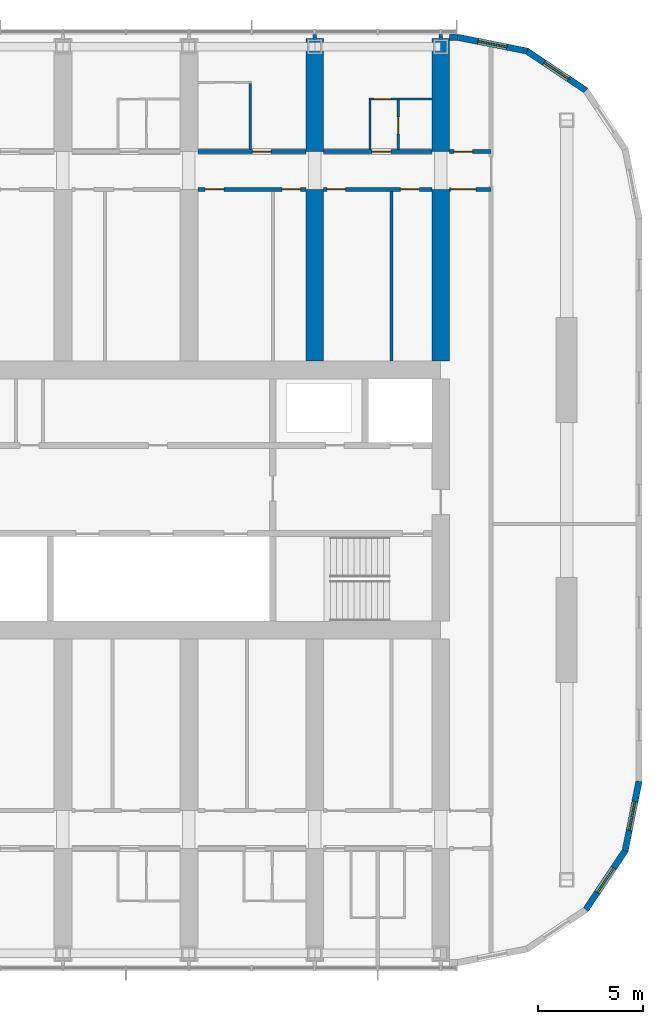
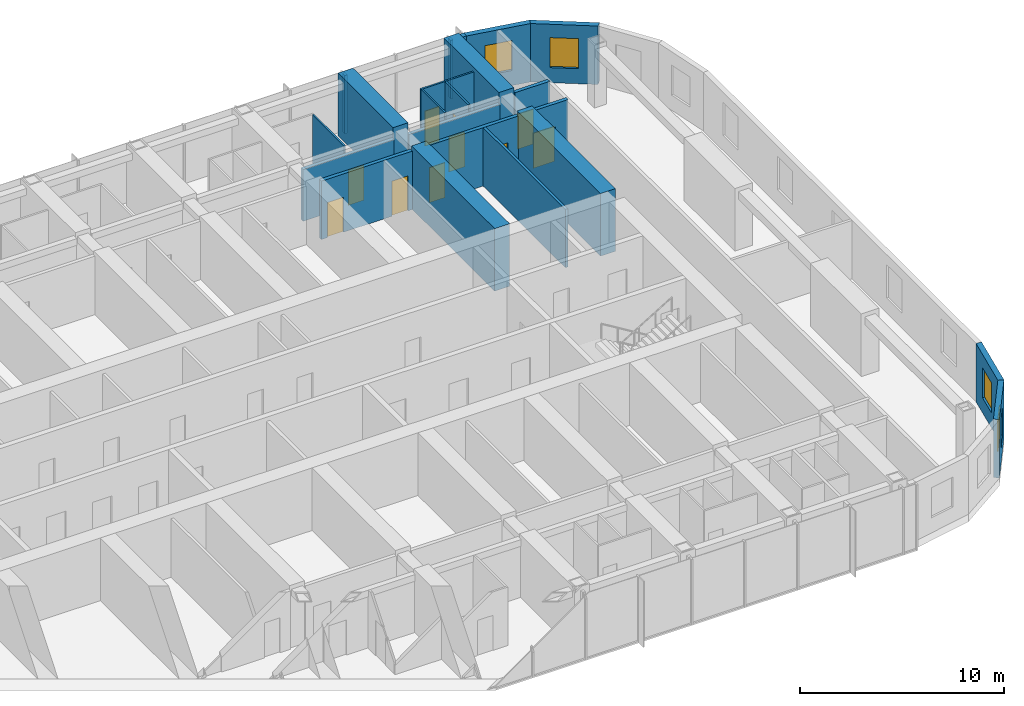
# One storey, part 19 of 27: 22 walls, 10 doors, 4 windows, 14 openings.
"""IFC4 building model written with IfcOpenShell, lengths in metres."""

from ifc_helpers import new_model, si_unit, direction, frame, frame_2d, origin, place, context, subcontext, project, spatial, polyline, rectangle, outline, extrude, material, layer, layer_set, type_object, element, fill, save


model = new_model("IFC4")

# Units and contexts
model_context = context("Model", 3, precision=1e-05, world=origin(), true_north=direction((0.0, 1.0)))
body_context = subcontext(model_context, "Body", "Model", "MODEL_VIEW")
ifc_project = project(units=[si_unit("LENGTHUNIT", "METRE"), si_unit("AREAUNIT", "SQUARE_METRE"), si_unit("VOLUMEUNIT", "CUBIC_METRE"), si_unit("PLANEANGLEUNIT", "RADIAN"), si_unit("MASSUNIT", "GRAM", prefix="KILO")], contexts=[model_context])

# Site, building, storey
site_placement = place(None, origin())
site = spatial("IfcSite", under=ifc_project, at=site_placement, CompositionType="ELEMENT")
building_placement = place(site_placement, origin())
building = spatial("IfcBuilding", under=site, at=building_placement, Name="Orbita Commons", CompositionType="ELEMENT")
storey_placement = place(building_placement, frame((0.0, 0.0, 178.60009765625)))
storey = spatial("IfcBuildingStorey", under=building, at=storey_placement, Name="L44", CompositionType="ELEMENT", Elevation=178.60009765625)

# Wall, opening, door
ifc_material_1 = material(Name="Concrete blockwork", Category="masonry")
ifc_layer_1 = layer(ifc_material_1, 0.199951171875)
ifc_layer_set_1 = layer_set([ifc_layer_1], Name="Concrete blockwork")
wall_type_1 = type_object("IfcWallType", Name="Corridor wall 200 blockwork", PredefinedType="SOLIDWALL", material=ifc_layer_set_1)
wall_1_placement = place(storey_placement, frame((54.425048828125, 48.60009765625, 0.0), z_axis=(0.0, 0.0, 1.0), x_axis=(1.0, 0.0, 0.0)))
wall_1 = element("IfcWall", 1, at=wall_1_placement, inside=storey, type_object=wall_type_1, Name="Corridor wall 200 blockwork L44", PredefinedType="SOLIDWALL", context=body_context, shape_type="SweptSolid", body=[
    extrude(outline(polyline([(0.0, 0.0), (5.14990234375, 0.0), (5.14990234375, 3.099853515625), (0.0, 3.099853515625), (0.0, 0.0)])), frame((0.0, 0.10009765625, 0.0), z_axis=(0.0, -1.0, 0.0), x_axis=(1.0, 0.0, 0.0)), (0.0, 0.0, 1.0), 0.199951171875),
])
opening_1_placement = place(wall_1_placement, frame((2.60009765625, 0.0, 0.0)))
opening_1 = element("IfcOpeningElement", 2, at=opening_1_placement, cuts=wall_1, Name="Opening D11", PredefinedType="OPENING", context=body_context, shape_type="SweptSolid", body=[
    extrude(rectangle(XDim=0.89990234375, YDim=2.10009765625, at=frame_2d((0.449951171875, 1.050048828125))), frame((0.0, 0.10986328125, 0.0), z_axis=(0.0, -1.0, 0.0), x_axis=(1.0, 0.0, 0.0)), (0.0, 0.0, 1.0), 0.219970703125),
])
ifc_material_2 = material(Name="Steel-faced fire door leaf", Category="steel")
door_type_1 = type_object("IfcDoorType", Name="Corridor door 20 min 900x2100", OperationType="SINGLE_SWING_LEFT", PredefinedType="DOOR", material=ifc_material_2)
door_1_placement = place(opening_1_placement, origin())
door_1 = element("IfcDoor", 3, at=door_1_placement, inside=storey, type_object=door_type_1, Name="Twin room L44-N12 door", OperationType="SINGLE_SWING_LEFT", OverallHeight=2.10009765625, OverallWidth=0.89990234375, PredefinedType="DOOR", context=body_context, shape_type="SweptSolid", body=[
    extrude(rectangle(XDim=0.89990234375, YDim=2.10009765625, at=frame_2d((0.449951171875, 1.050048828125))), frame((0.0, 0.02490234375, 0.0), z_axis=(0.0, -1.0, 0.0), x_axis=(1.0, 0.0, 0.0)), (0.0, 0.0, 1.0), 0.050048828125),
])
fill(opening_1, door_1)

wall_2_placement = place(storey_placement, frame((60.425048828125, 48.60009765625, 0.0), z_axis=(0.0, 0.0, 1.0), x_axis=(1.0, 0.0, 0.0)))
wall_2 = element("IfcWall", 4, at=wall_2_placement, inside=storey, type_object=wall_type_1, Name="Corridor wall 200 blockwork L44", PredefinedType="SOLIDWALL", context=body_context, shape_type="SweptSolid", body=[
    extrude(outline(polyline([(0.0, 0.0), (5.14990234375, 0.0), (5.14990234375, 3.099853515625), (0.0, 3.099853515625), (0.0, 0.0)])), frame((0.0, 0.10009765625, 0.0), z_axis=(0.0, -1.0, 0.0), x_axis=(1.0, 0.0, 0.0)), (0.0, 0.0, 1.0), 0.199951171875),
])
opening_2_placement = place(wall_2_placement, frame((2.300048828125, 0.0, 0.0)))
opening_2 = element("IfcOpeningElement", 5, at=opening_2_placement, cuts=wall_2, Name="Opening D11", PredefinedType="OPENING", context=body_context, shape_type="SweptSolid", body=[
    extrude(rectangle(XDim=0.89990234375, YDim=2.10009765625, at=frame_2d((0.449951171875, 1.050048828125))), frame((0.0, 0.10986328125, 0.0), z_axis=(0.0, -1.0, 0.0), x_axis=(1.0, 0.0, 0.0)), (0.0, 0.0, 1.0), 0.219970703125),
])
door_2_placement = place(opening_2_placement, origin())
door_2 = element("IfcDoor", 6, at=door_2_placement, inside=storey, type_object=door_type_1, Name="Studio flat L44-N14 entrance door", OperationType="SINGLE_SWING_LEFT", OverallHeight=2.10009765625, OverallWidth=0.89990234375, PredefinedType="DOOR", context=body_context, shape_type="SweptSolid", body=[
    extrude(rectangle(XDim=0.89990234375, YDim=2.10009765625, at=frame_2d((0.449951171875, 1.050048828125))), frame((0.0, 0.02490234375, 0.0), z_axis=(0.0, -1.0, 0.0), x_axis=(1.0, 0.0, 0.0)), (0.0, 0.0, 1.0), 0.050048828125),
])
fill(opening_2, door_2)

wall_3_placement = place(storey_placement, frame((66.425048828125, 48.60009765625, 0.0), z_axis=(0.0, 0.0, 1.0), x_axis=(1.0, 0.0, 0.0)))
wall_3 = element("IfcWall", 7, at=wall_3_placement, inside=storey, type_object=wall_type_1, Name="Corridor wall 200 blockwork L44", PredefinedType="SOLIDWALL", context=body_context, shape_type="SweptSolid", body=[
    extrude(rectangle(XDim=1.974853515625, YDim=0.199951171875, at=frame_2d((0.9873046875, 0.0))), origin(), (0.0, 0.0, 1.0), 3.5),
])
opening_3_placement = place(wall_3_placement, frame((0.199951171875, 0.0, 0.0)))
opening_3 = element("IfcOpeningElement", 8, at=opening_3_placement, cuts=wall_3, Name="Opening D05", PredefinedType="OPENING", context=body_context, shape_type="SweptSolid", body=[
    extrude(rectangle(XDim=0.89990234375, YDim=2.10009765625, at=frame_2d((0.449951171875, 1.050048828125))), frame((0.0, 0.10986328125, 0.0), z_axis=(0.0, -1.0, 0.0), x_axis=(1.0, 0.0, 0.0)), (0.0, 0.0, 1.0), 0.219970703125),
])
ifc_material_3 = material(Name="Steel-faced fire door leaf", Category="steel")
door_type_2 = type_object("IfcDoorType", Name="Service door 20 min 900x2100", OperationType="SINGLE_SWING_LEFT", PredefinedType="DOOR", material=ifc_material_3)
door_3_placement = place(opening_3_placement, origin())
door_3 = element("IfcDoor", 9, at=door_3_placement, inside=storey, type_object=door_type_2, Name="Linen store L44-KEN door", OperationType="SINGLE_SWING_LEFT", OverallHeight=2.10009765625, OverallWidth=0.89990234375, PredefinedType="DOOR", context=body_context, shape_type="SweptSolid", body=[
    extrude(rectangle(XDim=0.89990234375, YDim=2.10009765625, at=frame_2d((0.449951171875, 1.050048828125))), frame((0.0, 0.02490234375, 0.0), z_axis=(0.0, -1.0, 0.0), x_axis=(1.0, 0.0, 0.0)), (0.0, 0.0, 1.0), 0.050048828125),
])
fill(opening_3, door_3)

# Wall, openings, doors
ifc_material_4 = material(Name="Hollow concrete block 200", Category="concrete")
ifc_layer_2 = layer(ifc_material_4, 0.199951171875)
ifc_layer_set_2 = layer_set([ifc_layer_2], Name="Hollow concrete block 200")
wall_type_2 = type_object("IfcWallType", Name="Corridor wall 200 hollow concrete block", PredefinedType="SOLIDWALL", material=ifc_layer_set_2)
wall_4_placement = place(storey_placement, frame((54.425048828125, 46.800048828125, 0.0), z_axis=(0.0, 0.0, 1.0), x_axis=(1.0, 0.0, 0.0)))
wall_4 = element("IfcWall", 10, at=wall_4_placement, inside=storey, type_object=wall_type_2, Name="Corridor wall 200 hollow concrete block L44", PredefinedType="SOLIDWALL", context=body_context, shape_type="SweptSolid", body=[
    extrude(rectangle(XDim=5.14990234375, YDim=0.199951171875, at=frame_2d((2.574951171875, 0.0))), origin(), (0.0, 0.0, 1.0), 3.5),
])
opening_4_placement = place(wall_4_placement, frame((0.35009765625, 0.0, 0.0)))
opening_4 = element("IfcOpeningElement", 11, at=opening_4_placement, cuts=wall_4, Name="Opening D11", PredefinedType="OPENING", context=body_context, shape_type="SweptSolid", body=[
    extrude(rectangle(XDim=0.89990234375, YDim=2.10009765625, at=frame_2d((0.449951171875, 1.050048828125))), frame((0.0, 0.10986328125, 0.0), z_axis=(0.0, -1.0, 0.0), x_axis=(1.0, 0.0, 0.0)), (0.0, 0.0, 1.0), 0.219970703125),
])
opening_5_placement = place(wall_4_placement, frame((4.0048828125, 0.0, 0.0)))
opening_5 = element("IfcOpeningElement", 12, at=opening_5_placement, cuts=wall_4, Name="Opening D11", PredefinedType="OPENING", context=body_context, shape_type="SweptSolid", body=[
    extrude(rectangle(XDim=0.89990234375, YDim=2.10009765625, at=frame_2d((0.449951171875, 1.050048828125))), frame((0.0, 0.10986328125, 0.0), z_axis=(0.0, -1.0, 0.0), x_axis=(1.0, 0.0, 0.0)), (0.0, 0.0, 1.0), 0.219970703125),
])
door_4_placement = place(opening_4_placement, origin())
door_4 = element("IfcDoor", 13, at=door_4_placement, inside=storey, type_object=door_type_1, Name="Ventilation plant room north L44-BDN54 door", OperationType="SINGLE_SWING_LEFT", OverallHeight=2.10009765625, OverallWidth=0.89990234375, PredefinedType="DOOR", context=body_context, shape_type="SweptSolid", body=[
    extrude(rectangle(XDim=0.89990234375, YDim=2.10009765625, at=frame_2d((0.449951171875, 1.050048828125))), frame((0.0, 0.02490234375, 0.0), z_axis=(0.0, -1.0, 0.0), x_axis=(1.0, 0.0, 0.0)), (0.0, 0.0, 1.0), 0.050048828125),
])
fill(opening_4, door_4)
door_5_placement = place(opening_5_placement, origin())
door_5 = element("IfcDoor", 14, at=door_5_placement, inside=storey, type_object=door_type_1, Name="Sprinkler valve room L44-BDN54n door", OperationType="SINGLE_SWING_LEFT", OverallHeight=2.10009765625, OverallWidth=0.89990234375, PredefinedType="DOOR", context=body_context, shape_type="SweptSolid", body=[
    extrude(rectangle(XDim=0.89990234375, YDim=2.10009765625, at=frame_2d((0.449951171875, 1.050048828125))), frame((0.0, 0.02490234375, 0.0), z_axis=(0.0, -1.0, 0.0), x_axis=(1.0, 0.0, 0.0)), (0.0, 0.0, 1.0), 0.050048828125),
])
fill(opening_5, door_5)

wall_5_placement = place(storey_placement, frame((60.425048828125, 46.800048828125, 0.0), z_axis=(0.0, 0.0, 1.0), x_axis=(1.0, 0.0, 0.0)))
wall_5 = element("IfcWall", 15, at=wall_5_placement, inside=storey, type_object=wall_type_2, Name="Corridor wall 200 hollow concrete block L44", PredefinedType="SOLIDWALL", context=body_context, shape_type="SweptSolid", body=[
    extrude(rectangle(XDim=5.14990234375, YDim=0.199951171875, at=frame_2d((2.574951171875, 0.0))), origin(), (0.0, 0.0, 1.0), 3.5),
])
opening_6_placement = place(wall_5_placement, frame((0.14990234375, 0.0, 0.0)))
opening_6 = element("IfcOpeningElement", 16, at=opening_6_placement, cuts=wall_5, Name="Opening D11", PredefinedType="OPENING", context=body_context, shape_type="SweptSolid", body=[
    extrude(rectangle(XDim=0.89990234375, YDim=2.10009765625, at=frame_2d((0.449951171875, 1.050048828125))), frame((0.0, 0.10986328125, 0.0), z_axis=(0.0, -1.0, 0.0), x_axis=(1.0, 0.0, 0.0)), (0.0, 0.0, 1.0), 0.219970703125),
])
opening_7_placement = place(wall_5_placement, frame((3.655029296875, 0.0, 0.0)))
opening_7 = element("IfcOpeningElement", 17, at=opening_7_placement, cuts=wall_5, Name="Opening D11", PredefinedType="OPENING", context=body_context, shape_type="SweptSolid", body=[
    extrude(rectangle(XDim=0.89990234375, YDim=2.10009765625, at=frame_2d((0.449951171875, 1.050048828125))), frame((0.0, 0.10986328125, 0.0), z_axis=(0.0, -1.0, 0.0), x_axis=(1.0, 0.0, 0.0)), (0.0, 0.0, 1.0), 0.219970703125),
])
door_6_placement = place(opening_6_placement, origin())
door_6 = element("IfcDoor", 18, at=door_6_placement, inside=storey, type_object=door_type_1, Name="Furniture store L44-BDN60 door", OperationType="SINGLE_SWING_LEFT", OverallHeight=2.10009765625, OverallWidth=0.89990234375, PredefinedType="DOOR", context=body_context, shape_type="SweptSolid", body=[
    extrude(rectangle(XDim=0.89990234375, YDim=2.10009765625, at=frame_2d((0.449951171875, 1.050048828125))), frame((0.0, 0.02490234375, 0.0), z_axis=(0.0, -1.0, 0.0), x_axis=(1.0, 0.0, 0.0)), (0.0, 0.0, 1.0), 0.050048828125),
])
fill(opening_6, door_6)
door_7_placement = place(opening_7_placement, origin())
door_7 = element("IfcDoor", 19, at=door_7_placement, inside=storey, type_object=door_type_1, Name="Water heater cupboard L44-BDN60n door", OperationType="SINGLE_SWING_LEFT", OverallHeight=2.10009765625, OverallWidth=0.89990234375, PredefinedType="DOOR", context=body_context, shape_type="SweptSolid", body=[
    extrude(rectangle(XDim=0.89990234375, YDim=2.10009765625, at=frame_2d((0.449951171875, 1.050048828125))), frame((0.0, 0.02490234375, 0.0), z_axis=(0.0, -1.0, 0.0), x_axis=(1.0, 0.0, 0.0)), (0.0, 0.0, 1.0), 0.050048828125),
])
fill(opening_7, door_7)

# Wall, opening, door
wall_6_placement = place(storey_placement, frame((66.425048828125, 46.800048828125, 0.0), z_axis=(0.0, 0.0, 1.0), x_axis=(1.0, 0.0, 0.0)))
wall_6 = element("IfcWall", 20, at=wall_6_placement, inside=storey, type_object=wall_type_2, Name="Corridor wall 200 hollow concrete block L44", PredefinedType="SOLIDWALL", context=body_context, shape_type="SweptSolid", body=[
    extrude(rectangle(XDim=1.974853515625, YDim=0.199951171875, at=frame_2d((0.9873046875, 0.0))), origin(), (0.0, 0.0, 1.0), 3.5),
])
opening_8_placement = place(wall_6_placement, frame((0.050048828125, 0.0, 0.0)))
opening_8 = element("IfcOpeningElement", 21, at=opening_8_placement, cuts=wall_6, Name="Opening D12", PredefinedType="OPENING", context=body_context, shape_type="SweptSolid", body=[
    extrude(rectangle(XDim=1.199951171875, YDim=2.10009765625, at=frame_2d((0.60009765625, 1.050048828125))), frame((0.0, 0.10986328125, 0.0), z_axis=(0.0, -1.0, 0.0), x_axis=(1.0, 0.0, 0.0)), (0.0, 0.0, 1.0), 0.219970703125),
])
ifc_material_5 = material(Name="Steel-faced fire door leaf", Category="steel")
door_type_3 = type_object("IfcDoorType", Name="Double corridor door 20 min 1200x2100", OperationType="DOUBLE_DOOR_SINGLE_SWING", PredefinedType="DOOR", material=ifc_material_5)
door_8_placement = place(opening_8_placement, origin())
door_8 = element("IfcDoor", 22, at=door_8_placement, inside=storey, type_object=door_type_3, Name="Cross corridor doors", OperationType="DOUBLE_DOOR_SINGLE_SWING", OverallHeight=2.10009765625, OverallWidth=1.199951171875, PredefinedType="DOOR", context=body_context, shape_type="SweptSolid", body=[
    extrude(rectangle(XDim=1.199951171875, YDim=2.10009765625, at=frame_2d((0.60009765625, 1.050048828125))), frame((0.0, 0.02490234375, 0.0), z_axis=(0.0, -1.0, 0.0), x_axis=(1.0, 0.0, 0.0)), (0.0, 0.0, 1.0), 0.050048828125),
])
fill(opening_8, door_8)

# Walls
ifc_material_6 = material(Name="Concrete C50/60", Category="concrete")
ifc_layer_3 = layer(ifc_material_6, 0.85009765625)
ifc_layer_set_3 = layer_set([ifc_layer_3], Name="Concrete C50/60")
wall_type_3 = type_object("IfcWallType", Name="Cross wall 850 C50/60", PredefinedType="SHEAR", material=ifc_layer_set_3)
wall_7_placement = place(storey_placement, frame((60.0, 48.60009765625, 0.0), z_axis=(0.0, 0.0, 1.0), x_axis=(0.0, 1.0, 0.0)))
element("IfcWall", 23, at=wall_7_placement, inside=storey, type_object=wall_type_3, Name="Cross wall 11 north outer L44", PredefinedType="SHEAR", context=body_context, shape_type="SweptSolid", body=[
    extrude(rectangle(XDim=5.39990234375, YDim=0.85009765625, at=frame_2d((2.699951171875, 0.0))), origin(), (0.0, 0.0, 1.0), 3.75),
])
wall_8_placement = place(storey_placement, frame((60.0, 38.625, 0.0), z_axis=(0.0, 0.0, 1.0), x_axis=(0.0, 1.0, 0.0)))
element("IfcWall", 24, at=wall_8_placement, inside=storey, type_object=wall_type_3, Name="Cross wall 11 north inner L44", PredefinedType="SHEAR", context=body_context, shape_type="SweptSolid", body=[
    extrude(rectangle(XDim=8.175048828125, YDim=0.85009765625, at=frame_2d((4.08740234375, 0.0))), origin(), (0.0, 0.0, 1.0), 3.75),
])
wall_9_placement = place(storey_placement, frame((66.0, 48.60009765625, 0.0), z_axis=(0.0, 0.0, 1.0), x_axis=(0.0, 1.0, 0.0)))
element("IfcWall", 25, at=wall_9_placement, inside=storey, type_object=wall_type_3, Name="Cross wall 12 north outer L44", PredefinedType="SHEAR", context=body_context, shape_type="SweptSolid", body=[
    extrude(rectangle(XDim=5.39990234375, YDim=0.85009765625, at=frame_2d((2.699951171875, 0.0))), origin(), (0.0, 0.0, 1.0), 3.75),
])
wall_10_placement = place(storey_placement, frame((66.0, 38.625, 0.0), z_axis=(0.0, 0.0, 1.0), x_axis=(0.0, 1.0, 0.0)))
element("IfcWall", 26, at=wall_10_placement, inside=storey, type_object=wall_type_3, Name="Cross wall 12 north inner L44", PredefinedType="SHEAR", context=body_context, shape_type="SweptSolid", body=[
    extrude(rectangle(XDim=8.175048828125, YDim=0.85009765625, at=frame_2d((4.08740234375, 0.0))), origin(), (0.0, 0.0, 1.0), 3.75),
])
ifc_material_7 = material(Name="Moisture-resistant plasterboard on steel studs", Category="steel")
ifc_layer_4 = layer(ifc_material_7, 0.10009765625)
ifc_layer_set_4 = layer_set([ifc_layer_4], Name="Moisture-resistant plasterboard on steel studs")
wall_type_4 = type_object("IfcWallType", Name="En-suite partition 100", PredefinedType="PARTITIONING", material=ifc_layer_set_4)
wall_11_placement = place(storey_placement, frame((56.925048828125, 51.85009765625, 0.0), z_axis=(0.0, 0.0, 1.0), x_axis=(0.0, -1.0, 0.0)))
element("IfcWall", 27, at=wall_11_placement, inside=storey, type_object=wall_type_4, Name="En-suite partition 100 L44", PredefinedType="PARTITIONING", context=body_context, shape_type="SweptSolid", body=[
    extrude(outline(polyline([(0.0, 0.0), (3.150146484375, 0.0), (3.14990234375, 3.099853515625), (3.10205078125, 3.099853515625), (3.10009765625, 3.5), (0.0, 3.5), (0.0, 0.0)])), frame((0.0, 0.050048828125, 0.0), z_axis=(0.0, -1.0, 0.0), x_axis=(1.0, 0.0, 0.0)), (0.0, 0.0, 1.0), 0.10009765625),
])

# Wall, opening, door
wall_12_placement = place(storey_placement, frame((62.574951171875, 51.10009765625, 0.0), z_axis=(0.0, 0.0, 1.0), x_axis=(1.0, 0.0, 0.0)))
wall_12 = element("IfcWall", 28, at=wall_12_placement, inside=storey, type_object=wall_type_4, Name="En-suite partition 100 L44", PredefinedType="PARTITIONING", context=body_context, shape_type="SweptSolid", body=[
    extrude(rectangle(XDim=3.0, YDim=0.10009765625, at=frame_2d((1.5, 0.0))), origin(), (0.0, 0.0, 1.0), 3.5),
])
opening_9_placement = place(wall_12_placement, frame((0.25, 0.0, 0.0)))
opening_9 = element("IfcOpeningElement", 29, at=opening_9_placement, cuts=wall_12, Name="Opening D16", PredefinedType="OPENING", context=body_context, shape_type="SweptSolid", body=[
    extrude(rectangle(XDim=0.800048828125, YDim=2.10009765625, at=frame_2d((0.39990234375, 1.050048828125))), frame((0.0, 0.06005859375, 0.0), z_axis=(0.0, -1.0, 0.0), x_axis=(1.0, 0.0, 0.0)), (0.0, 0.0, 1.0), 0.1201171875),
])
ifc_material_8 = material(Name="Laminated timber door leaf", Category="wood")
door_type_4 = type_object("IfcDoorType", Name="En-suite door 800x2100", OperationType="SINGLE_SWING_RIGHT", PredefinedType="DOOR", material=ifc_material_8)
door_9_placement = place(opening_9_placement, origin())
door_9 = element("IfcDoor", 30, at=door_9_placement, inside=storey, type_object=door_type_4, Name="Studio flat L44-N14 door", OperationType="SINGLE_SWING_RIGHT", OverallHeight=2.10009765625, OverallWidth=0.800048828125, PredefinedType="DOOR", context=body_context, shape_type="SweptSolid", body=[
    extrude(rectangle(XDim=0.800048828125, YDim=2.10009765625, at=frame_2d((0.39990234375, 1.050048828125))), frame((0.0, 0.02490234375, 0.0), z_axis=(0.0, -1.0, 0.0), x_axis=(1.0, 0.0, 0.0)), (0.0, 0.0, 1.0), 0.050048828125),
])
fill(opening_9, door_9)

# Wall
wall_13_placement = place(storey_placement, frame((62.625, 51.050048828125, 0.0), z_axis=(0.0, 0.0, 1.0), x_axis=(0.0, -1.0, 0.0)))
element("IfcWall", 31, at=wall_13_placement, inside=storey, type_object=wall_type_4, Name="En-suite partition 100 L44", PredefinedType="PARTITIONING", context=body_context, shape_type="SweptSolid", body=[
    extrude(outline(polyline([(0.0, 0.0), (2.35009765625, 0.0), (2.35009765625, 3.099853515625), (2.302001953125, 3.099853515625), (2.300048828125, 3.5), (0.0, 3.5), (0.0, 0.0)])), frame((0.0, 0.050048828125, 0.0), z_axis=(0.0, -1.0, 0.0), x_axis=(1.0, 0.0, 0.0)), (0.0, 0.0, 1.0), 0.10009765625),
])

# Wall, opening, door
wall_14_placement = place(storey_placement, frame((63.97509765625, 51.050048828125, 0.0), z_axis=(0.0, 0.0, 1.0), x_axis=(0.0, -1.0, 0.0)))
wall_14 = element("IfcWall", 32, at=wall_14_placement, inside=storey, type_object=wall_type_4, Name="En-suite partition 100 L44", PredefinedType="PARTITIONING", context=body_context, shape_type="SweptSolid", body=[
    extrude(outline(polyline([(0.0, 0.0), (2.35009765625, 0.0), (2.35009765625, 3.099853515625), (2.302001953125, 3.099853515625), (2.300048828125, 3.5), (0.0, 3.5), (0.0, 0.0)])), frame((0.0, 0.050048828125, 0.0), z_axis=(0.0, -1.0, 0.0), x_axis=(1.0, 0.0, 0.0)), (0.0, 0.0, 1.0), 0.10009765625),
])
opening_10_placement = place(wall_14_placement, frame((0.800048828125, 0.0, 0.0)))
opening_10 = element("IfcOpeningElement", 33, at=opening_10_placement, cuts=wall_14, Name="Opening D16", PredefinedType="OPENING", context=body_context, shape_type="SweptSolid", body=[
    extrude(rectangle(XDim=0.800048828125, YDim=2.10009765625, at=frame_2d((0.39990234375, 1.050048828125))), frame((0.0, 0.06005859375, 0.0), z_axis=(0.0, -1.0, 0.0), x_axis=(1.0, 0.0, 0.0)), (0.0, 0.0, 1.0), 0.1201171875),
])
door_10_placement = place(opening_10_placement, origin())
door_10 = element("IfcDoor", 34, at=door_10_placement, inside=storey, type_object=door_type_4, Name="Studio flat shower room L44-N14 door", OperationType="SINGLE_SWING_RIGHT", OverallHeight=2.10009765625, OverallWidth=0.800048828125, PredefinedType="DOOR", context=body_context, shape_type="SweptSolid", body=[
    extrude(rectangle(XDim=0.800048828125, YDim=2.10009765625, at=frame_2d((0.39990234375, 1.050048828125))), frame((0.0, 0.02490234375, 0.0), z_axis=(0.0, -1.0, 0.0), x_axis=(1.0, 0.0, 0.0)), (0.0, 0.0, 1.0), 0.050048828125),
])
fill(opening_10, door_10)

# Walls
ifc_material_9 = material(Name="Gypsum plasterboard on steel studs", Category="steel")
ifc_layer_5 = layer(ifc_material_9, 0.14990234375)
ifc_layer_set_5 = layer_set([ifc_layer_5], Name="Gypsum plasterboard on steel studs")
wall_type_5 = type_object("IfcWallType", Name="Partition 150 plasterboard", PredefinedType="PARTITIONING", material=ifc_layer_set_5)
wall_15_placement = place(storey_placement, frame((63.655029296875, 38.625, 0.0), z_axis=(0.0, 0.0, 1.0), x_axis=(0.0, 1.0, 0.0)))
element("IfcWall", 35, at=wall_15_placement, inside=storey, type_object=wall_type_5, Name="Partition 150 plasterboard L44", PredefinedType="PARTITIONING", context=body_context, shape_type="SweptSolid", body=[
    extrude(rectangle(XDim=8.074951171875, YDim=0.14990234375, at=frame_2d((4.03759765625, 0.0))), origin(), (0.0, 0.0, 1.0), 3.5),
])
for number, where, z_axis, x_axis, name in (
    (36, (60.0, 53.949951171875, 0.0), (0.0, 0.0, 1.0), (0.0, 1.0, 0.0), "Partition 150 plasterboard L44"),
    (37, (66.0, 53.949951171875, 0.0), (0.0, 0.0, 1.0), (0.0, 1.0, 0.0), "Partition 150 plasterboard L44"),
):
    element("IfcWall", number, at=place(storey_placement, frame(where, z_axis=z_axis, x_axis=x_axis)), inside=storey, type_object=wall_type_5, Name=name, PredefinedType="PARTITIONING", context=body_context, shape_type="SweptSolid", body=[
        extrude(rectangle(XDim=0.239990234375, YDim=0.14990234375, at=frame_2d((0.1201171875, 0.0))), origin(), (0.0, 0.0, 1.0), 3.5),
    ])

# Wall, opening, window
ifc_material_10 = material(Name="Precast concrete C40/50, white board-marked finish", Category="concrete")
ifc_layer_6 = layer(ifc_material_10, 0.300048828125)
ifc_layer_set_6 = layer_set([ifc_layer_6], Name="Precast concrete C40/50, white board-marked finish")
wall_type_6 = type_object("IfcWallType", Name="Precast concrete end shield 300", PredefinedType="SOLIDWALL", material=ifc_layer_set_6)
wall_16_placement = place(storey_placement, frame((72.91650390625, 12.4833984375, 0.0), z_axis=(0.0, 0.0, 1.0), x_axis=(0.555534554399, 0.831493450887, 0.0)))
wall_16 = element("IfcWall", 38, at=wall_16_placement, inside=storey, type_object=wall_type_6, Name="End shield SE chord 3 L44", PredefinedType="SOLIDWALL", context=body_context, shape_type="SweptSolid", body=[
    extrude(outline(polyline([(-0.02978515625, -0.14990234375), (3.405029296875, -0.14990234375), (3.345458984375, 0.14990234375), (0.02978515625, 0.14990234375), (-0.02978515625, -0.14990234375)])), origin(), (0.0, 0.0, 1.0), 3.5),
])
opening_11_placement = place(wall_16_placement, frame((0.987548828125, 0.0, 0.89990234375)))
opening_11 = element("IfcOpeningElement", 39, at=opening_11_placement, cuts=wall_16, Name="Opening W02", PredefinedType="OPENING", context=body_context, shape_type="SweptSolid", body=[
    extrude(rectangle(XDim=1.39990234375, YDim=1.800048828125, at=frame_2d((0.699951171875, 0.89990234375))), frame((0.0, 0.159912109375, 0.0), z_axis=(0.0, -1.0, 0.0), x_axis=(1.0, 0.0, 0.0)), (0.0, 0.0, 1.0), 0.320068359375),
])
ifc_material_11 = material(Name="Aluminium frame, clear double glazing", Category="aluminium")
window_type = type_object("IfcWindowType", Name="Deep-set window 1400x1800", PartitioningType="SINGLE_PANEL", PredefinedType="WINDOW", material=ifc_material_11)
window_1_placement = place(opening_11_placement, origin())
window_1 = element("IfcWindow", 40, at=window_1_placement, inside=storey, type_object=window_type, Name="Window L44-SE2", OverallHeight=1.800048828125, OverallWidth=1.39990234375, PartitioningType="SINGLE_PANEL", PredefinedType="WINDOW", context=body_context, shape_type="SweptSolid", body=[
    extrude(rectangle(XDim=1.39990234375, YDim=1.800048828125, at=frame_2d((0.699951171875, 0.89990234375))), frame((0.0, 0.030029296875, 0.0), z_axis=(0.0, -1.0, 0.0), x_axis=(1.0, 0.0, 0.0)), (0.0, 0.0, 1.0), 0.06005859375),
])
fill(opening_11, window_1)

wall_17_placement = place(storey_placement, frame((74.79150390625, 15.289794921875, 0.0), z_axis=(0.0, 0.0, 1.0), x_axis=(0.19508664885, 0.980786011034, 0.0)))
wall_17 = element("IfcWall", 41, at=wall_17_placement, inside=storey, type_object=wall_type_6, Name="End shield SE chord 4 L44", PredefinedType="SOLIDWALL", context=body_context, shape_type="SweptSolid", body=[
    extrude(outline(polyline([(-0.02978515625, -0.14990234375), (3.39013671875, -0.14990234375), (3.3603515625, 0.14990234375), (0.02978515625, 0.14990234375), (-0.02978515625, -0.14990234375)])), origin(), (0.0, 0.0, 1.0), 3.5),
])
opening_12_placement = place(wall_17_placement, frame((0.987548828125, 0.0, 0.89990234375)))
opening_12 = element("IfcOpeningElement", 42, at=opening_12_placement, cuts=wall_17, Name="Opening W02", PredefinedType="OPENING", context=body_context, shape_type="SweptSolid", body=[
    extrude(rectangle(XDim=1.39990234375, YDim=1.800048828125, at=frame_2d((0.699951171875, 0.89990234375))), frame((0.0, 0.159912109375, 0.0), z_axis=(0.0, -1.0, 0.0), x_axis=(1.0, 0.0, 0.0)), (0.0, 0.0, 1.0), 0.320068359375),
])
window_2_placement = place(opening_12_placement, origin())
window_2 = element("IfcWindow", 43, at=window_2_placement, inside=storey, type_object=window_type, Name="Window L44-SE3", OverallHeight=1.800048828125, OverallWidth=1.39990234375, PartitioningType="SINGLE_PANEL", PredefinedType="WINDOW", context=body_context, shape_type="SweptSolid", body=[
    extrude(rectangle(XDim=1.39990234375, YDim=1.800048828125, at=frame_2d((0.699951171875, 0.89990234375))), frame((0.0, 0.030029296875, 0.0), z_axis=(0.0, -1.0, 0.0), x_axis=(1.0, 0.0, 0.0)), (0.0, 0.0, 1.0), 0.06005859375),
])
fill(opening_12, window_2)

wall_18_placement = place(storey_placement, frame((72.91650390625, 51.5166015625, 0.0), z_axis=(0.0, 0.0, 1.0), x_axis=(-0.831493450887, 0.555534554399, 0.0)))
wall_18 = element("IfcWall", 44, at=wall_18_placement, inside=storey, type_object=wall_type_6, Name="End shield NE chord 3 L44", PredefinedType="SOLIDWALL", context=body_context, shape_type="SweptSolid", body=[
    extrude(outline(polyline([(-0.02978515625, -0.14990234375), (3.405029296875, -0.14990234375), (3.345458984375, 0.14990234375), (0.02978515625, 0.14990234375), (-0.02978515625, -0.14990234375)])), origin(), (0.0, 0.0, 1.0), 3.5),
])
opening_13_placement = place(wall_18_placement, frame((0.987548828125, 0.0, 0.89990234375)))
opening_13 = element("IfcOpeningElement", 45, at=opening_13_placement, cuts=wall_18, Name="Opening W02", PredefinedType="OPENING", context=body_context, shape_type="SweptSolid", body=[
    extrude(rectangle(XDim=1.39990234375, YDim=1.800048828125, at=frame_2d((0.699951171875, 0.89990234375))), frame((0.0, 0.159912109375, 0.0), z_axis=(0.0, -1.0, 0.0), x_axis=(1.0, 0.0, 0.0)), (0.0, 0.0, 1.0), 0.320068359375),
])
window_3_placement = place(opening_13_placement, origin())
window_3 = element("IfcWindow", 46, at=window_3_placement, inside=storey, type_object=window_type, Name="Window L44-NE2", OverallHeight=1.800048828125, OverallWidth=1.39990234375, PartitioningType="SINGLE_PANEL", PredefinedType="WINDOW", context=body_context, shape_type="SweptSolid", body=[
    extrude(rectangle(XDim=1.39990234375, YDim=1.800048828125, at=frame_2d((0.699951171875, 0.89990234375))), frame((0.0, 0.030029296875, 0.0), z_axis=(0.0, -1.0, 0.0), x_axis=(1.0, 0.0, 0.0)), (0.0, 0.0, 1.0), 0.06005859375),
])
fill(opening_13, window_3)

wall_19_placement = place(storey_placement, frame((70.110107421875, 53.3916015625, 0.0), z_axis=(0.0, 0.0, 1.0), x_axis=(-0.98078325777, 0.195100490205, 0.0)))
wall_19 = element("IfcWall", 47, at=wall_19_placement, inside=storey, type_object=wall_type_6, Name="End shield NE chord 4 L44", PredefinedType="SOLIDWALL", context=body_context, shape_type="SweptSolid", body=[
    extrude(outline(polyline([(-0.02978515625, -0.14990234375), (3.40478515625, -0.14990234375), (3.34521484375, 0.14990234375), (0.02978515625, 0.14990234375), (-0.02978515625, -0.14990234375)])), origin(), (0.0, 0.0, 1.0), 3.5),
])
opening_14_placement = place(wall_19_placement, frame((0.987548828125, 0.0, 0.89990234375)))
opening_14 = element("IfcOpeningElement", 48, at=opening_14_placement, cuts=wall_19, Name="Opening W02", PredefinedType="OPENING", context=body_context, shape_type="SweptSolid", body=[
    extrude(rectangle(XDim=1.39990234375, YDim=1.800048828125, at=frame_2d((0.699951171875, 0.89990234375))), frame((0.0, 0.159912109375, 0.0), z_axis=(0.0, -1.0, 0.0), x_axis=(1.0, 0.0, 0.0)), (0.0, 0.0, 1.0), 0.320068359375),
])
window_4_placement = place(opening_14_placement, origin())
window_4 = element("IfcWindow", 49, at=window_4_placement, inside=storey, type_object=window_type, Name="Window L44-NE3", OverallHeight=1.800048828125, OverallWidth=1.39990234375, PartitioningType="SINGLE_PANEL", PredefinedType="WINDOW", context=body_context, shape_type="SweptSolid", body=[
    extrude(rectangle(XDim=1.39990234375, YDim=1.800048828125, at=frame_2d((0.699951171875, 0.89990234375))), frame((0.0, 0.030029296875, 0.0), z_axis=(0.0, -1.0, 0.0), x_axis=(1.0, 0.0, 0.0)), (0.0, 0.0, 1.0), 0.06005859375),
])
fill(opening_14, window_4)

# Wall
wall_20_placement = place(storey_placement, frame((66.800048828125, 54.050048828125, 0.0), z_axis=(0.0, 0.0, 1.0), x_axis=(-1.0, 0.0, 0.0)))
element("IfcWall", 50, at=wall_20_placement, inside=storey, type_object=wall_type_6, Name="End shield NE closer L44", PredefinedType="SOLIDWALL", context=body_context, shape_type="SweptSolid", body=[
    extrude(rectangle(XDim=0.375, YDim=0.300048828125, at=frame_2d((0.1875, 0.0))), origin(), (0.0, 0.0, 1.0), 3.5),
])

save(model, "model.ifc")
